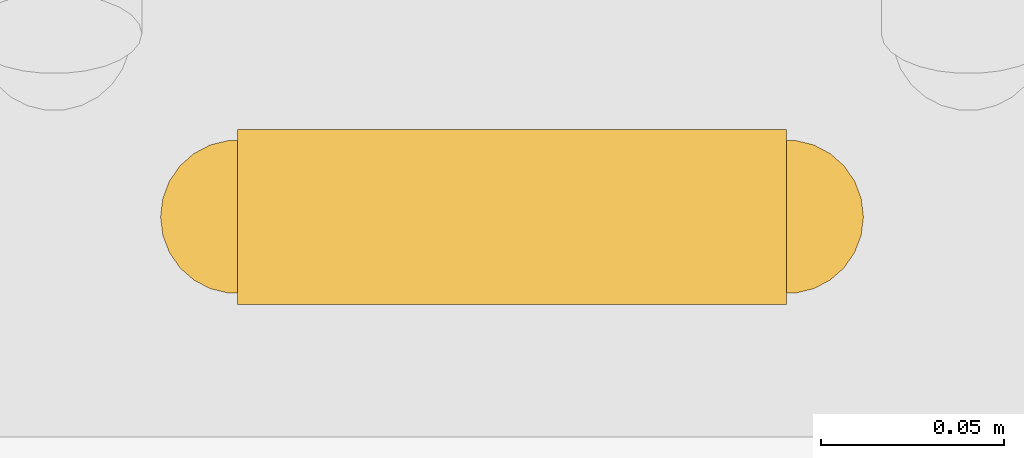
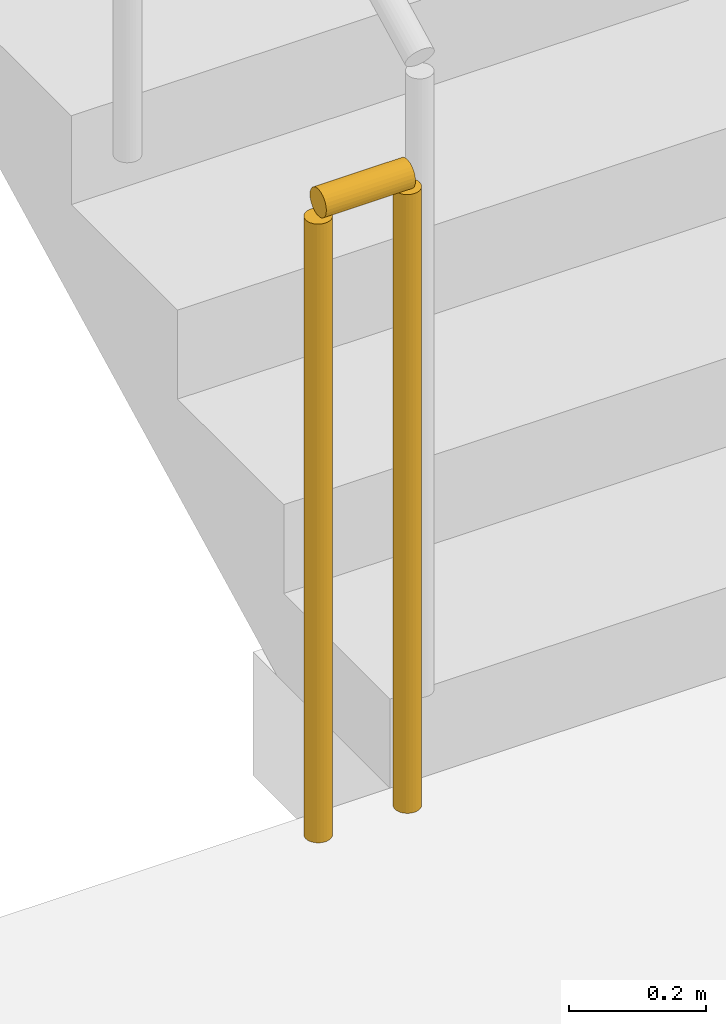
# One storey, part 15 of 18: 1 railing.
"""IFC4 building model written with IfcOpenShell, lengths in metres."""

from ifc_helpers import new_model, si_unit, direction, frame, origin, origin_2d, place, context, subcontext, project, spatial, circle, extrude, material, type_object, element, save


model = new_model("IFC4")

# Units and contexts
model_context = context("Model", 3, precision=1e-05, world=origin(), true_north=direction((0.0, 1.0)))
body_context = subcontext(model_context, "Body", "Model", "MODEL_VIEW")
ifc_project = project(units=[si_unit("LENGTHUNIT", "METRE"), si_unit("AREAUNIT", "SQUARE_METRE"), si_unit("VOLUMEUNIT", "CUBIC_METRE"), si_unit("PLANEANGLEUNIT", "RADIAN"), si_unit("MASSUNIT", "GRAM", prefix="KILO")], contexts=[model_context])

# Site, building, storey
site_placement = place(None, origin())
site = spatial("IfcSite", under=ifc_project, at=site_placement, CompositionType="ELEMENT")
building_placement = place(site_placement, origin())
building = spatial("IfcBuilding", under=site, at=building_placement, Name="Vaeldorn Concourse Tower", CompositionType="ELEMENT")
storey_placement = place(building_placement, frame((0.0, 0.0, 253.60009765625)))
storey = spatial("IfcBuildingStorey", under=building, at=storey_placement, Name="L65", CompositionType="ELEMENT", Elevation=253.60009765625)

# Railing
ifc_material = material(Name="Anodised Bronze Aluminium", Category="aluminium")
railing_type = type_object("IfcRailingType", Name="RL-STAIR-GUARD", PredefinedType="GUARDRAIL", material=ifc_material)
railing_placement = place(storey_placement, frame((51.35009765625, 41.550048828125, 0.0)))
element("IfcRailing", 1, at=railing_placement, inside=storey, type_object=railing_type, Name="L65 ST-2 stair guard 4", PredefinedType="GUARDRAIL", context=body_context, shape_type="SweptSolid", body=[
    extrude(circle(Radius=0.02392578125, at=origin_2d()), frame((0.0, 0.0, 1.1259765625), z_axis=(-1.0, 0.0, 0.0), x_axis=(0.0, -1.0, 0.0)), (0.0, 0.0, 1.0), 0.150146484375),
    extrude(circle(Radius=0.02099609375, at=origin_2d()), origin(), (0.0, 0.0, 1.0), 1.101806640625),
    extrude(circle(Radius=0.02099609375, at=origin_2d()), frame((-0.150146484375, 0.0, 0.0)), (0.0, 0.0, 1.0), 1.101806640625),
])

save(model, "model.ifc")
